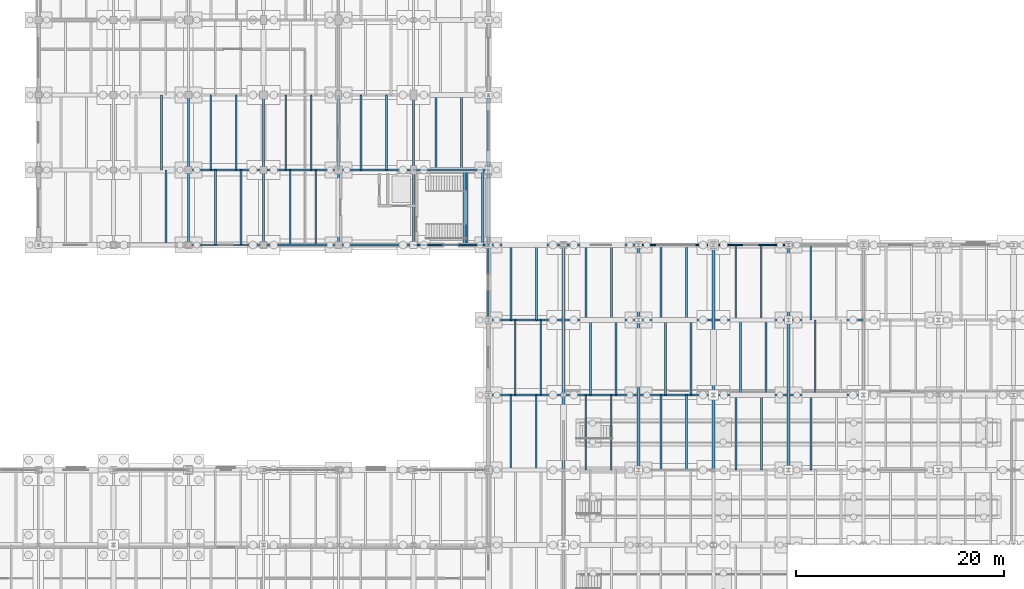
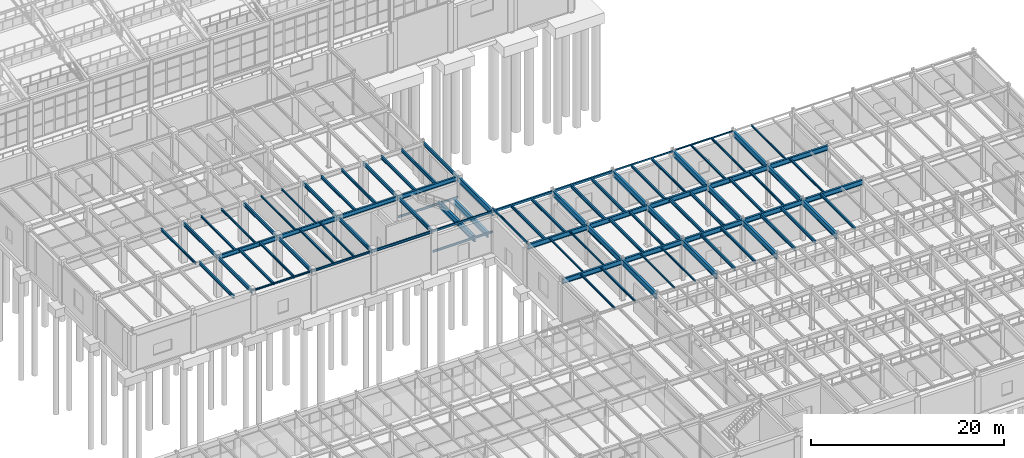
# One storey, part 162 of 293: 91 beams.
"""IFC4 building model written with IfcOpenShell, lengths in metres."""

from ifc_helpers import new_model, si_unit, direction, frame, origin, origin_2d, place, context, subcontext, project, spatial, hollow_rectangle, i_section, extrude, material, material_profile, profile_set, type_object, element, save


model = new_model("IFC4")

# Units and contexts
model_context = context("Model", 3, precision=1e-05, world=origin(), true_north=direction((0.0, 1.0)))
body_context = subcontext(model_context, "Body", "Model", "MODEL_VIEW")
ifc_project = project(units=[si_unit("LENGTHUNIT", "METRE"), si_unit("AREAUNIT", "SQUARE_METRE"), si_unit("VOLUMEUNIT", "CUBIC_METRE"), si_unit("PLANEANGLEUNIT", "RADIAN"), si_unit("MASSUNIT", "GRAM", prefix="KILO")], contexts=[model_context])

# Site, building, storey
site_placement = place(None, origin())
site = spatial("IfcSite", under=ifc_project, at=site_placement, CompositionType="ELEMENT")
building_placement = place(site_placement, origin())
building = spatial("IfcBuilding", under=site, at=building_placement, Name="Kemerveld Promenade Tramway Depot", CompositionType="ELEMENT")
storey_placement = place(building_placement, origin())
storey = spatial("IfcBuildingStorey", under=building, at=storey_placement, Name="L00", CompositionType="ELEMENT", Elevation=0.0)

# Beams
ifc_material = material(Name="Steel S355", Category="steel")
ifc_material_profile_1 = material_profile(ifc_material, i_section(OverallWidth=0.25439453125, OverallDepth=0.6875, WebThickness=0.01318359375, FlangeThickness=0.02099609375, FilletRadius=0.01513671875, at=origin_2d()), Name="686x254x152 UB")
ifc_profile_set_1 = profile_set([ifc_material_profile_1], Name="Steel S355")
beam_type_1 = type_object("IfcBeamType", Name="BM-G03", PredefinedType="BEAM", material=ifc_profile_set_1)
beam_1_placement = place(storey_placement, frame((158.39990234375, 50.39990234375, 4.736328125), z_axis=(0.0, 1.0, 0.0), x_axis=(-1.0, 0.0, 0.0)))
element("IfcBeam", 1, at=beam_1_placement, inside=storey, type_object=beam_type_1, Name="BMY-L00-23-H-J", PredefinedType="BEAM", context=body_context, shape_type="SweptSolid", body=[
    extrude(i_section(OverallWidth=0.25439453125, OverallDepth=0.6875, WebThickness=0.01318359375, FlangeThickness=0.02099609375, FilletRadius=0.01513671875, at=origin_2d()), origin(), (0.0, 0.0, 1.0), 7.2001953125),
])
for number, where, z_axis, x_axis, name in (
    (2, (165.60009765625, 28.800048828125, 4.7763671875), (0.0, 1.0, 0.0), (-1.0, 0.0, 0.0), "BMY-L00-24-E-F"),
    (3, (165.60009765625, 36.0, 4.7763671875), (0.0, 1.0, 0.0), (-1.0, 0.0, 0.0), "BMY-L00-24-F-G"),
    (4, (165.60009765625, 43.199951171875, 4.7763671875), (0.0, 1.0, 0.0), (-1.0, 0.0, 0.0), "BMY-L00-24-G-H"),
    (5, (172.800048828125, 28.800048828125, 4.7763671875), (0.0, 1.0, 0.0), (-1.0, 0.0, 0.0), "BMY-L00-25-E-F"),
    (6, (172.800048828125, 36.0, 4.7763671875), (0.0, 1.0, 0.0), (-1.0, 0.0, 0.0), "BMY-L00-25-F-G"),
    (7, (172.800048828125, 43.199951171875, 4.7763671875), (0.0, 1.0, 0.0), (-1.0, 0.0, 0.0), "BMY-L00-25-G-H"),
    (8, (180.0, 28.800048828125, 4.7763671875), (0.0, 1.0, 0.0), (-1.0, 0.0, 0.0), "BMY-L00-26-E-F"),
    (9, (180.0, 36.0, 4.7763671875), (0.0, 1.0, 0.0), (-1.0, 0.0, 0.0), "BMY-L00-26-F-G"),
    (10, (180.0, 43.199951171875, 4.7763671875), (0.0, 1.0, 0.0), (-1.0, 0.0, 0.0), "BMY-L00-26-G-H"),
    (11, (187.199951171875, 28.800048828125, 4.7763671875), (0.0, 1.0, 0.0), (-1.0, 0.0, 0.0), "BMY-L00-27-E-F"),
    (12, (187.199951171875, 36.0, 4.7763671875), (0.0, 1.0, 0.0), (-1.0, 0.0, 0.0), "BMY-L00-27-F-G"),
    (13, (187.199951171875, 43.199951171875, 4.7763671875), (0.0, 1.0, 0.0), (-1.0, 0.0, 0.0), "BMY-L00-27-G-H"),
):
    element("IfcBeam", number, at=place(storey_placement, frame(where, z_axis=z_axis, x_axis=x_axis)), inside=storey, type_object=beam_type_1, Name=name, PredefinedType="BEAM", context=body_context, shape_type="SweptSolid", body=[
        extrude(i_section(OverallWidth=0.25439453125, OverallDepth=0.6875, WebThickness=0.01318359375, FlangeThickness=0.02099609375, FilletRadius=0.01513671875, at=origin_2d()), origin(), (0.0, 0.0, 1.0), 7.199951171875),
    ])
for number, where, z_axis, x_axis, name in (
    (14, (157.85009765625, 50.39990234375, 2.15625), (0.0, 1.0, 0.0), (-1.0, 0.0, 0.0), "BM-HL-ST-06-L00-W"),
    (15, (156.2900390625, 50.39990234375, 2.15625), (0.0, 1.0, 0.0), (-1.0, 0.0, 0.0), "BM-HL-ST-06-L00-M"),
    (16, (156.10009765625, 50.39990234375, 2.356201171875), (0.0, 1.0, 0.0), (-1.0, 0.0, 0.0), "BM-HL-ST-06-L00-F2"),
):
    element("IfcBeam", number, at=place(storey_placement, frame(where, z_axis=z_axis, x_axis=x_axis)), inside=storey, type_object=beam_type_1, Name=name, PredefinedType="BEAM", context=body_context, shape_type="SweptSolid", body=[
        extrude(i_section(OverallWidth=0.25439453125, OverallDepth=0.6875, WebThickness=0.01318359375, FlangeThickness=0.02099609375, FilletRadius=0.01513671875, at=origin_2d()), origin(), (0.0, 0.0, 1.0), 7.2001953125),
    ])
ifc_material_profile_2 = material_profile(ifc_material, i_section(OverallWidth=0.22900390625, OverallDepth=0.6123046875, WebThickness=0.011962890625, FlangeThickness=0.01953125, FilletRadius=0.0126953125, at=origin_2d()), Name="610x229x125 UB")
ifc_profile_set_2 = profile_set([ifc_material_profile_2], Name="Steel S355")
beam_type_2 = type_object("IfcBeamType", Name="BM-G04", PredefinedType="BEAM", material=ifc_profile_set_2)
beam_2_placement = place(storey_placement, frame((158.39990234375, 36.0, 4.81396484375), z_axis=(1.0, 0.0, 0.0), x_axis=(0.0, 1.0, 0.0)))
element("IfcBeam", 17, at=beam_2_placement, inside=storey, type_object=beam_type_2, Name="BMX-L00-23-24-F", PredefinedType="BEAM", context=body_context, shape_type="SweptSolid", body=[
    extrude(i_section(OverallWidth=0.22900390625, OverallDepth=0.6123046875, WebThickness=0.011962890625, FlangeThickness=0.01953125, FilletRadius=0.0126953125, at=origin_2d()), origin(), (0.0, 0.0, 1.0), 7.2001953125),
])
for number, where, z_axis, x_axis, name in (
    (18, (165.60009765625, 36.0, 4.81396484375), (1.0, 0.0, 0.0), (0.0, 1.0, 0.0), "BMX-L00-24-25-F"),
    (19, (172.800048828125, 36.0, 4.81396484375), (1.0, 0.0, 0.0), (0.0, 1.0, 0.0), "BMX-L00-25-26-F"),
    (20, (180.0, 36.0, 4.81396484375), (1.0, 0.0, 0.0), (0.0, 1.0, 0.0), "BMX-L00-26-27-F"),
    (21, (187.199951171875, 36.0, 4.81396484375), (1.0, 0.0, 0.0), (0.0, 1.0, 0.0), "BMX-L00-27-28-F"),
):
    element("IfcBeam", number, at=place(storey_placement, frame(where, z_axis=z_axis, x_axis=x_axis)), inside=storey, type_object=beam_type_2, Name=name, PredefinedType="BEAM", context=body_context, shape_type="SweptSolid", body=[
        extrude(i_section(OverallWidth=0.22900390625, OverallDepth=0.6123046875, WebThickness=0.011962890625, FlangeThickness=0.01953125, FilletRadius=0.0126953125, at=origin_2d()), origin(), (0.0, 0.0, 1.0), 7.199951171875),
    ])
beam_3_placement = place(storey_placement, frame((158.39990234375, 43.199951171875, 4.81396484375), z_axis=(1.0, 0.0, 0.0), x_axis=(0.0, 1.0, 0.0)))
element("IfcBeam", 22, at=beam_3_placement, inside=storey, type_object=beam_type_2, Name="BMX-L00-23-24-G", PredefinedType="BEAM", context=body_context, shape_type="SweptSolid", body=[
    extrude(i_section(OverallWidth=0.22900390625, OverallDepth=0.6123046875, WebThickness=0.011962890625, FlangeThickness=0.01953125, FilletRadius=0.0126953125, at=origin_2d()), origin(), (0.0, 0.0, 1.0), 7.2001953125),
])
for number, where, z_axis, x_axis, name in (
    (23, (165.60009765625, 43.199951171875, 4.81396484375), (1.0, 0.0, 0.0), (0.0, 1.0, 0.0), "BMX-L00-24-25-G"),
    (24, (172.800048828125, 43.199951171875, 4.81396484375), (1.0, 0.0, 0.0), (0.0, 1.0, 0.0), "BMX-L00-25-26-G"),
    (25, (180.0, 43.199951171875, 4.81396484375), (1.0, 0.0, 0.0), (0.0, 1.0, 0.0), "BMX-L00-26-27-G"),
    (26, (187.199951171875, 43.199951171875, 4.81396484375), (1.0, 0.0, 0.0), (0.0, 1.0, 0.0), "BMX-L00-27-28-G"),
):
    element("IfcBeam", number, at=place(storey_placement, frame(where, z_axis=z_axis, x_axis=x_axis)), inside=storey, type_object=beam_type_2, Name=name, PredefinedType="BEAM", context=body_context, shape_type="SweptSolid", body=[
        extrude(i_section(OverallWidth=0.22900390625, OverallDepth=0.6123046875, WebThickness=0.011962890625, FlangeThickness=0.01953125, FilletRadius=0.0126953125, at=origin_2d()), origin(), (0.0, 0.0, 1.0), 7.199951171875),
    ])
ifc_material_profile_3 = material_profile(ifc_material, i_section(OverallWidth=0.2099609375, OverallDepth=0.53662109375, WebThickness=0.0107421875, FlangeThickness=0.017333984375, FilletRadius=0.0126953125, at=origin_2d()), Name="533x210x101 UB")
ifc_profile_set_3 = profile_set([ifc_material_profile_3], Name="Steel S355")
beam_type_3 = type_object("IfcBeamType", Name="BM-G05", PredefinedType="BEAM", material=ifc_profile_set_3)
for number, where, z_axis, x_axis, name in (
    (27, (129.60009765625, 57.60009765625, 4.811767578125), (1.0, 0.0, 0.0), (0.0, 1.0, 0.0), "BMX-L00-19-20-J"),
    (28, (136.800048828125, 57.60009765625, 4.811767578125), (1.0, 0.0, 0.0), (0.0, 1.0, 0.0), "BMX-L00-20-21-J"),
    (29, (144.0, 57.60009765625, 4.811767578125), (1.0, 0.0, 0.0), (0.0, 1.0, 0.0), "BMX-L00-21-22-J"),
    (30, (151.199951171875, 57.60009765625, 4.811767578125), (1.0, 0.0, 0.0), (0.0, 1.0, 0.0), "BMX-L00-22-23-J"),
):
    element("IfcBeam", number, at=place(storey_placement, frame(where, z_axis=z_axis, x_axis=x_axis)), inside=storey, type_object=beam_type_3, Name=name, PredefinedType="BEAM", context=body_context, shape_type="SweptSolid", body=[
        extrude(i_section(OverallWidth=0.2099609375, OverallDepth=0.53662109375, WebThickness=0.0107421875, FlangeThickness=0.017333984375, FilletRadius=0.0126953125, at=origin_2d()), origin(), (0.0, 0.0, 1.0), 7.199951171875),
    ])
ifc_material_profile_4 = material_profile(ifc_material, i_section(OverallWidth=0.19140625, OverallDepth=0.4599609375, WebThickness=0.010009765625, FlangeThickness=0.01611328125, FilletRadius=0.01025390625, at=origin_2d()), Name="457x191x82 UB")
ifc_profile_set_4 = profile_set([ifc_material_profile_4], Name="Steel S355")
beam_type_4 = type_object("IfcBeamType", Name="BM-G06", PredefinedType="BEAM", material=ifc_profile_set_4)
beam_4_placement = place(storey_placement, frame((129.60009765625, 50.39990234375, 4.85009765625), z_axis=(0.0, 1.0, 0.0), x_axis=(-1.0, 0.0, 0.0)))
element("IfcBeam", 31, at=beam_4_placement, inside=storey, type_object=beam_type_4, Name="BMY-L00-19-H-J", PredefinedType="BEAM", context=body_context, shape_type="SweptSolid", body=[
    extrude(i_section(OverallWidth=0.19140625, OverallDepth=0.4599609375, WebThickness=0.010009765625, FlangeThickness=0.01611328125, FilletRadius=0.01025390625, at=origin_2d()), origin(), (0.0, 0.0, 1.0), 7.2001953125),
])
beam_5_placement = place(storey_placement, frame((129.60009765625, 57.60009765625, 4.85009765625), z_axis=(0.0, 1.0, 0.0), x_axis=(-1.0, 0.0, 0.0)))
element("IfcBeam", 32, at=beam_5_placement, inside=storey, type_object=beam_type_4, Name="BMY-L00-19-J-K", PredefinedType="BEAM", context=body_context, shape_type="SweptSolid", body=[
    extrude(i_section(OverallWidth=0.19140625, OverallDepth=0.4599609375, WebThickness=0.010009765625, FlangeThickness=0.01611328125, FilletRadius=0.01025390625, at=origin_2d()), origin(), (0.0, 0.0, 1.0), 7.199951171875),
])
beam_6_placement = place(storey_placement, frame((136.800048828125, 50.39990234375, 4.85009765625), z_axis=(0.0, 1.0, 0.0), x_axis=(-1.0, 0.0, 0.0)))
element("IfcBeam", 33, at=beam_6_placement, inside=storey, type_object=beam_type_4, Name="BMY-L00-20-H-J", PredefinedType="BEAM", context=body_context, shape_type="SweptSolid", body=[
    extrude(i_section(OverallWidth=0.19140625, OverallDepth=0.4599609375, WebThickness=0.010009765625, FlangeThickness=0.01611328125, FilletRadius=0.01025390625, at=origin_2d()), origin(), (0.0, 0.0, 1.0), 7.2001953125),
])
beam_7_placement = place(storey_placement, frame((136.800048828125, 57.60009765625, 4.85009765625), z_axis=(0.0, 1.0, 0.0), x_axis=(-1.0, 0.0, 0.0)))
element("IfcBeam", 34, at=beam_7_placement, inside=storey, type_object=beam_type_4, Name="BMY-L00-20-J-K", PredefinedType="BEAM", context=body_context, shape_type="SweptSolid", body=[
    extrude(i_section(OverallWidth=0.19140625, OverallDepth=0.4599609375, WebThickness=0.010009765625, FlangeThickness=0.01611328125, FilletRadius=0.01025390625, at=origin_2d()), origin(), (0.0, 0.0, 1.0), 7.199951171875),
])
beam_8_placement = place(storey_placement, frame((144.0, 50.39990234375, 4.85009765625), z_axis=(0.0, 1.0, 0.0), x_axis=(-1.0, 0.0, 0.0)))
element("IfcBeam", 35, at=beam_8_placement, inside=storey, type_object=beam_type_4, Name="BMY-L00-21-H-J", PredefinedType="BEAM", context=body_context, shape_type="SweptSolid", body=[
    extrude(i_section(OverallWidth=0.19140625, OverallDepth=0.4599609375, WebThickness=0.010009765625, FlangeThickness=0.01611328125, FilletRadius=0.01025390625, at=origin_2d()), origin(), (0.0, 0.0, 1.0), 7.2001953125),
])
beam_9_placement = place(storey_placement, frame((144.0, 57.60009765625, 4.85009765625), z_axis=(0.0, 1.0, 0.0), x_axis=(-1.0, 0.0, 0.0)))
element("IfcBeam", 36, at=beam_9_placement, inside=storey, type_object=beam_type_4, Name="BMY-L00-21-J-K", PredefinedType="BEAM", context=body_context, shape_type="SweptSolid", body=[
    extrude(i_section(OverallWidth=0.19140625, OverallDepth=0.4599609375, WebThickness=0.010009765625, FlangeThickness=0.01611328125, FilletRadius=0.01025390625, at=origin_2d()), origin(), (0.0, 0.0, 1.0), 7.199951171875),
])
beam_10_placement = place(storey_placement, frame((151.199951171875, 50.39990234375, 4.85009765625), z_axis=(0.0, 1.0, 0.0), x_axis=(-1.0, 0.0, 0.0)))
element("IfcBeam", 37, at=beam_10_placement, inside=storey, type_object=beam_type_4, Name="BMY-L00-22-H-J", PredefinedType="BEAM", context=body_context, shape_type="SweptSolid", body=[
    extrude(i_section(OverallWidth=0.19140625, OverallDepth=0.4599609375, WebThickness=0.010009765625, FlangeThickness=0.01611328125, FilletRadius=0.01025390625, at=origin_2d()), origin(), (0.0, 0.0, 1.0), 7.2001953125),
])
for number, where, z_axis, x_axis, name in (
    (38, (151.199951171875, 57.60009765625, 4.85009765625), (0.0, 1.0, 0.0), (-1.0, 0.0, 0.0), "BMY-L00-22-J-K"),
    (39, (158.39990234375, 57.60009765625, 4.85009765625), (0.0, 1.0, 0.0), (-1.0, 0.0, 0.0), "BMY-L00-23-J-K"),
):
    element("IfcBeam", number, at=place(storey_placement, frame(where, z_axis=z_axis, x_axis=x_axis)), inside=storey, type_object=beam_type_4, Name=name, PredefinedType="BEAM", context=body_context, shape_type="SweptSolid", body=[
        extrude(i_section(OverallWidth=0.19140625, OverallDepth=0.4599609375, WebThickness=0.010009765625, FlangeThickness=0.01611328125, FilletRadius=0.01025390625, at=origin_2d()), origin(), (0.0, 0.0, 1.0), 7.199951171875),
    ])
ifc_material_profile_5 = material_profile(ifc_material, i_section(OverallWidth=0.13330078125, OverallDepth=0.203125, WebThickness=0.005615234375, FlangeThickness=0.0078125, FilletRadius=0.007568359375, at=origin_2d()), Name="203x133x25 UB")
ifc_profile_set_5 = profile_set([ifc_material_profile_5], Name="Steel S355")
beam_type_5 = type_object("IfcBeamType", Name="BM-G14", PredefinedType="BEAM", material=ifc_profile_set_5)
beam_11_placement = place(storey_placement, frame((129.60009765625, 50.39990234375, 4.978515625), z_axis=(1.0, 0.0, 0.0), x_axis=(0.0, 1.0, 0.0)))
element("IfcBeam", 40, at=beam_11_placement, inside=storey, type_object=beam_type_5, Name="BMX-L00-19-20-H", PredefinedType="BEAM", context=body_context, shape_type="SweptSolid", body=[
    extrude(i_section(OverallWidth=0.13330078125, OverallDepth=0.203125, WebThickness=0.005615234375, FlangeThickness=0.0078125, FilletRadius=0.007568359375, at=origin_2d()), origin(), (0.0, 0.0, 1.0), 7.199951171875),
])
ifc_material_profile_6 = material_profile(ifc_material, i_section(OverallWidth=0.146484375, OverallDepth=0.256103515625, WebThickness=0.00634765625, FlangeThickness=0.010986328125, FilletRadius=0.007568359375, at=origin_2d()), Name="254x146x37 UB")
ifc_profile_set_6 = profile_set([ifc_material_profile_6], Name="Steel S355")
beam_type_6 = type_object("IfcBeamType", Name="BM-G15", PredefinedType="BEAM", material=ifc_profile_set_6)
beam_12_placement = place(storey_placement, frame((136.800048828125, 50.39990234375, 4.951904296875), z_axis=(1.0, 0.0, 0.0), x_axis=(0.0, 1.0, 0.0)))
element("IfcBeam", 41, at=beam_12_placement, inside=storey, type_object=beam_type_6, Name="BMX-L00-20-21-H", PredefinedType="BEAM", context=body_context, shape_type="SweptSolid", body=[
    extrude(i_section(OverallWidth=0.146484375, OverallDepth=0.256103515625, WebThickness=0.00634765625, FlangeThickness=0.010986328125, FilletRadius=0.007568359375, at=origin_2d()), origin(), (0.0, 0.0, 1.0), 7.199951171875),
])
ifc_material_profile_7 = material_profile(ifc_material, i_section(OverallWidth=0.165771484375, OverallDepth=0.306640625, WebThickness=0.006591796875, FlangeThickness=0.01171875, FilletRadius=0.0087890625, at=origin_2d()), Name="305x165x46 UB")
ifc_profile_set_7 = profile_set([ifc_material_profile_7], Name="Steel S355")
beam_type_7 = type_object("IfcBeamType", Name="BM-G16", PredefinedType="BEAM", material=ifc_profile_set_7)
beam_13_placement = place(storey_placement, frame((144.0, 50.39990234375, 4.9267578125), z_axis=(1.0, 0.0, 0.0), x_axis=(0.0, 1.0, 0.0)))
element("IfcBeam", 42, at=beam_13_placement, inside=storey, type_object=beam_type_7, Name="BMX-L00-21-22-H", PredefinedType="BEAM", context=body_context, shape_type="SweptSolid", body=[
    extrude(i_section(OverallWidth=0.165771484375, OverallDepth=0.306640625, WebThickness=0.006591796875, FlangeThickness=0.01171875, FilletRadius=0.0087890625, at=origin_2d()), origin(), (0.0, 0.0, 1.0), 7.199951171875),
])
ifc_material_profile_8 = material_profile(ifc_material, hollow_rectangle(XDim=0.14990234375, YDim=0.25, WallThickness=0.010009765625, InnerFilletRadius=0.0048828125, OuterFilletRadius=0.014892578125, at=origin_2d()), Name="250x150x10.0 RHS")
ifc_profile_set_8 = profile_set([ifc_material_profile_8], Name="Steel S355")
beam_type_8 = type_object("IfcBeamType", Name="BM-G17", PredefinedType="BEAM", material=ifc_profile_set_8)
beam_14_placement = place(storey_placement, frame((151.199951171875, 50.39990234375, 4.955078125), z_axis=(1.0, 0.0, 0.0), x_axis=(0.0, 1.0, 0.0)))
element("IfcBeam", 43, at=beam_14_placement, inside=storey, type_object=beam_type_8, Name="BMX-L00-22-23-H", PredefinedType="BEAM", context=body_context, shape_type="SweptSolid", body=[
    extrude(hollow_rectangle(XDim=0.14990234375, YDim=0.25, WallThickness=0.010009765625, InnerFilletRadius=0.0048828125, OuterFilletRadius=0.014892578125, at=origin_2d()), origin(), (0.0, 0.0, 1.0), 7.199951171875),
])
ifc_material_profile_9 = material_profile(ifc_material, hollow_rectangle(XDim=0.199951171875, YDim=0.300048828125, WallThickness=0.012451171875, InnerFilletRadius=0.00634765625, OuterFilletRadius=0.018798828125, at=origin_2d()), Name="300x200x12.5 RHS")
ifc_profile_set_9 = profile_set([ifc_material_profile_9], Name="Steel S355")
beam_type_9 = type_object("IfcBeamType", Name="BM-G18", PredefinedType="BEAM", material=ifc_profile_set_9)
beam_15_placement = place(storey_placement, frame((158.39990234375, 50.39990234375, 4.929931640625), z_axis=(1.0, 0.0, 0.0), x_axis=(0.0, 1.0, 0.0)))
element("IfcBeam", 44, at=beam_15_placement, inside=storey, type_object=beam_type_9, Name="BMX-L00-23-24-H", PredefinedType="BEAM", context=body_context, shape_type="SweptSolid", body=[
    extrude(hollow_rectangle(XDim=0.199951171875, YDim=0.300048828125, WallThickness=0.012451171875, InnerFilletRadius=0.00634765625, OuterFilletRadius=0.018798828125, at=origin_2d()), origin(), (0.0, 0.0, 1.0), 7.2001953125),
])
ifc_material_profile_10 = material_profile(ifc_material, i_section(OverallWidth=0.165771484375, OverallDepth=0.306640625, WebThickness=0.006591796875, FlangeThickness=0.01171875, FilletRadius=0.0087890625, at=origin_2d()), Name="305x165x46 UB")
ifc_profile_set_10 = profile_set([ifc_material_profile_10], Name="Steel S355")
beam_type_10 = type_object("IfcBeamType", Name="BM-J01", PredefinedType="JOIST", material=ifc_profile_set_10)
beam_16_placement = place(storey_placement, frame((127.008056640625, 57.60009765625, 4.9267578125), z_axis=(0.0, 1.0, 0.0), x_axis=(-1.0, 0.0, 0.0)))
element("IfcBeam", 45, at=beam_16_placement, inside=storey, type_object=beam_type_10, Name="JST-L00-18-J-2", PredefinedType="JOIST", context=body_context, shape_type="SweptSolid", body=[
    extrude(i_section(OverallWidth=0.165771484375, OverallDepth=0.306640625, WebThickness=0.006591796875, FlangeThickness=0.01171875, FilletRadius=0.0087890625, at=origin_2d()), origin(), (0.0, 0.0, 1.0), 7.199951171875),
])
for number, where, z_axis, x_axis, name in (
    (46, (132.19189453125, 50.39990234375, 4.9267578125), (0.0, 1.0, 0.0), (-1.0, 0.0, 0.0), "JST-L00-19-H-1"),
    (47, (134.639892578125, 50.39990234375, 4.9267578125), (0.0, 1.0, 0.0), (-1.0, 0.0, 0.0), "JST-L00-19-H-2"),
):
    element("IfcBeam", number, at=place(storey_placement, frame(where, z_axis=z_axis, x_axis=x_axis)), inside=storey, type_object=beam_type_10, Name=name, PredefinedType="JOIST", context=body_context, shape_type="SweptSolid", body=[
        extrude(i_section(OverallWidth=0.165771484375, OverallDepth=0.306640625, WebThickness=0.006591796875, FlangeThickness=0.01171875, FilletRadius=0.0087890625, at=origin_2d()), origin(), (0.0, 0.0, 1.0), 7.2001953125),
    ])
for number, where, z_axis, x_axis, name in (
    (48, (174.9599609375, 43.199951171875, 4.966796875), (0.0, 1.0, 0.0), (-1.0, 0.0, 0.0), "JST-L00-25-G-1"),
    (49, (177.407958984375, 43.199951171875, 4.966796875), (0.0, 1.0, 0.0), (-1.0, 0.0, 0.0), "JST-L00-25-G-2"),
    (50, (182.592041015625, 36.0, 4.966796875), (0.0, 1.0, 0.0), (-1.0, 0.0, 0.0), "JST-L00-26-F-1"),
    (51, (185.0400390625, 36.0, 4.966796875), (0.0, 1.0, 0.0), (-1.0, 0.0, 0.0), "JST-L00-26-F-2"),
    (52, (189.360107421875, 28.800048828125, 4.966796875), (0.0, 1.0, 0.0), (-1.0, 0.0, 0.0), "JST-L00-27-E-1"),
):
    element("IfcBeam", number, at=place(storey_placement, frame(where, z_axis=z_axis, x_axis=x_axis)), inside=storey, type_object=beam_type_10, Name=name, PredefinedType="JOIST", context=body_context, shape_type="SweptSolid", body=[
        extrude(i_section(OverallWidth=0.165771484375, OverallDepth=0.306640625, WebThickness=0.006591796875, FlangeThickness=0.01171875, FilletRadius=0.0087890625, at=origin_2d()), origin(), (0.0, 0.0, 1.0), 7.199951171875),
    ])
ifc_material_profile_11 = material_profile(ifc_material, i_section(OverallWidth=0.146484375, OverallDepth=0.256103515625, WebThickness=0.00634765625, FlangeThickness=0.010986328125, FilletRadius=0.007568359375, at=origin_2d()), Name="254x146x37 UB")
ifc_profile_set_11 = profile_set([ifc_material_profile_11], Name="Steel S355")
beam_type_11 = type_object("IfcBeamType", Name="BM-J02", PredefinedType="JOIST", material=ifc_profile_set_11)
for number, where, z_axis, x_axis, name in (
    (53, (131.760009765625, 57.60009765625, 4.951904296875), (0.0, 1.0, 0.0), (-1.0, 0.0, 0.0), "JST-L00-19-J-1"),
    (54, (134.2080078125, 57.60009765625, 4.951904296875), (0.0, 1.0, 0.0), (-1.0, 0.0, 0.0), "JST-L00-19-J-2"),
):
    element("IfcBeam", number, at=place(storey_placement, frame(where, z_axis=z_axis, x_axis=x_axis)), inside=storey, type_object=beam_type_11, Name=name, PredefinedType="JOIST", context=body_context, shape_type="SweptSolid", body=[
        extrude(i_section(OverallWidth=0.146484375, OverallDepth=0.256103515625, WebThickness=0.00634765625, FlangeThickness=0.010986328125, FilletRadius=0.007568359375, at=origin_2d()), origin(), (0.0, 0.0, 1.0), 7.199951171875),
    ])
for number, where, z_axis, x_axis, name in (
    (55, (139.39208984375, 50.39990234375, 4.951904296875), (0.0, 1.0, 0.0), (-1.0, 0.0, 0.0), "JST-L00-20-H-1"),
    (56, (141.840087890625, 50.39990234375, 4.951904296875), (0.0, 1.0, 0.0), (-1.0, 0.0, 0.0), "JST-L00-20-H-2"),
):
    element("IfcBeam", number, at=place(storey_placement, frame(where, z_axis=z_axis, x_axis=x_axis)), inside=storey, type_object=beam_type_11, Name=name, PredefinedType="JOIST", context=body_context, shape_type="SweptSolid", body=[
        extrude(i_section(OverallWidth=0.146484375, OverallDepth=0.256103515625, WebThickness=0.00634765625, FlangeThickness=0.010986328125, FilletRadius=0.007568359375, at=origin_2d()), origin(), (0.0, 0.0, 1.0), 7.2001953125),
    ])
for number, where, z_axis, x_axis, name in (
    (57, (160.56005859375, 28.800048828125, 4.991943359375), (0.0, 1.0, 0.0), (-1.0, 0.0, 0.0), "JST-L00-23-E-1"),
    (58, (163.008056640625, 28.800048828125, 4.991943359375), (0.0, 1.0, 0.0), (-1.0, 0.0, 0.0), "JST-L00-23-E-2"),
    (59, (182.159912109375, 43.199951171875, 4.991943359375), (0.0, 1.0, 0.0), (-1.0, 0.0, 0.0), "JST-L00-26-G-1"),
    (60, (184.60791015625, 43.199951171875, 4.991943359375), (0.0, 1.0, 0.0), (-1.0, 0.0, 0.0), "JST-L00-26-G-2"),
    (61, (189.7919921875, 36.0, 4.991943359375), (0.0, 1.0, 0.0), (-1.0, 0.0, 0.0), "JST-L00-27-F-1"),
    (62, (151.199951171875, 50.39990234375, 2.3720703125), (1.0, 0.0, 0.0), (0.0, 1.0, 0.0), "BM-HLY-ST-06-L00-S"),
    (63, (151.199951171875, 57.60009765625, 2.3720703125), (1.0, 0.0, 0.0), (0.0, 1.0, 0.0), "BM-HLY-ST-06-L00-N"),
):
    element("IfcBeam", number, at=place(storey_placement, frame(where, z_axis=z_axis, x_axis=x_axis)), inside=storey, type_object=beam_type_11, Name=name, PredefinedType="JOIST", context=body_context, shape_type="SweptSolid", body=[
        extrude(i_section(OverallWidth=0.146484375, OverallDepth=0.256103515625, WebThickness=0.00634765625, FlangeThickness=0.010986328125, FilletRadius=0.007568359375, at=origin_2d()), origin(), (0.0, 0.0, 1.0), 7.199951171875),
    ])
ifc_material_profile_12 = material_profile(ifc_material, i_section(OverallWidth=0.13330078125, OverallDepth=0.203125, WebThickness=0.005615234375, FlangeThickness=0.0078125, FilletRadius=0.007568359375, at=origin_2d()), Name="203x133x25 UB")
ifc_profile_set_12 = profile_set([ifc_material_profile_12], Name="Steel S355")
beam_type_12 = type_object("IfcBeamType", Name="BM-J03", PredefinedType="JOIST", material=ifc_profile_set_12)
for number, where, z_axis, x_axis, name in (
    (64, (138.9599609375, 57.60009765625, 4.978515625), (0.0, 1.0, 0.0), (-1.0, 0.0, 0.0), "JST-L00-20-J-1"),
    (65, (141.407958984375, 57.60009765625, 4.978515625), (0.0, 1.0, 0.0), (-1.0, 0.0, 0.0), "JST-L00-20-J-2"),
    (66, (160.991943359375, 36.0, 5.018310546875), (0.0, 1.0, 0.0), (-1.0, 0.0, 0.0), "JST-L00-23-F-1"),
    (67, (163.43994140625, 36.0, 5.018310546875), (0.0, 1.0, 0.0), (-1.0, 0.0, 0.0), "JST-L00-23-F-2"),
    (68, (167.760009765625, 28.800048828125, 5.018310546875), (0.0, 1.0, 0.0), (-1.0, 0.0, 0.0), "JST-L00-24-E-1"),
    (69, (170.2080078125, 28.800048828125, 5.018310546875), (0.0, 1.0, 0.0), (-1.0, 0.0, 0.0), "JST-L00-24-E-2"),
    (70, (189.360107421875, 43.199951171875, 5.018310546875), (0.0, 1.0, 0.0), (-1.0, 0.0, 0.0), "JST-L00-27-G-1"),
):
    element("IfcBeam", number, at=place(storey_placement, frame(where, z_axis=z_axis, x_axis=x_axis)), inside=storey, type_object=beam_type_12, Name=name, PredefinedType="JOIST", context=body_context, shape_type="SweptSolid", body=[
        extrude(i_section(OverallWidth=0.13330078125, OverallDepth=0.203125, WebThickness=0.005615234375, FlangeThickness=0.0078125, FilletRadius=0.007568359375, at=origin_2d()), origin(), (0.0, 0.0, 1.0), 7.199951171875),
    ])
ifc_material_profile_13 = material_profile(ifc_material, i_section(OverallWidth=0.172119140625, OverallDepth=0.35791015625, WebThickness=0.008056640625, FlangeThickness=0.012939453125, FilletRadius=0.01025390625, at=origin_2d()), Name="356x171x57 UB")
ifc_profile_set_13 = profile_set([ifc_material_profile_13], Name="Steel S355")
beam_type_13 = type_object("IfcBeamType", Name="BM-J04", PredefinedType="JOIST", material=ifc_profile_set_13)
for number, where, z_axis, x_axis, name in (
    (71, (146.159912109375, 57.60009765625, 4.90087890625), (0.0, 1.0, 0.0), (-1.0, 0.0, 0.0), "JST-L00-21-J-1"),
    (72, (148.60791015625, 57.60009765625, 4.90087890625), (0.0, 1.0, 0.0), (-1.0, 0.0, 0.0), "JST-L00-21-J-2"),
    (73, (160.56005859375, 43.199951171875, 4.94091796875), (0.0, 1.0, 0.0), (-1.0, 0.0, 0.0), "JST-L00-23-G-1"),
    (74, (163.008056640625, 43.199951171875, 4.94091796875), (0.0, 1.0, 0.0), (-1.0, 0.0, 0.0), "JST-L00-23-G-2"),
    (75, (168.19189453125, 36.0, 4.94091796875), (0.0, 1.0, 0.0), (-1.0, 0.0, 0.0), "JST-L00-24-F-1"),
    (76, (170.639892578125, 36.0, 4.94091796875), (0.0, 1.0, 0.0), (-1.0, 0.0, 0.0), "JST-L00-24-F-2"),
    (77, (174.9599609375, 28.800048828125, 4.94091796875), (0.0, 1.0, 0.0), (-1.0, 0.0, 0.0), "JST-L00-25-E-1"),
    (78, (177.407958984375, 28.800048828125, 4.94091796875), (0.0, 1.0, 0.0), (-1.0, 0.0, 0.0), "JST-L00-25-E-2"),
):
    element("IfcBeam", number, at=place(storey_placement, frame(where, z_axis=z_axis, x_axis=x_axis)), inside=storey, type_object=beam_type_13, Name=name, PredefinedType="JOIST", context=body_context, shape_type="SweptSolid", body=[
        extrude(i_section(OverallWidth=0.172119140625, OverallDepth=0.35791015625, WebThickness=0.008056640625, FlangeThickness=0.012939453125, FilletRadius=0.01025390625, at=origin_2d()), origin(), (0.0, 0.0, 1.0), 7.199951171875),
    ])
ifc_material_profile_14 = material_profile(ifc_material, i_section(OverallWidth=0.1787109375, OverallDepth=0.409423828125, WebThickness=0.0087890625, FlangeThickness=0.014404296875, FilletRadius=0.01025390625, at=origin_2d()), Name="406x178x67 UB")
ifc_profile_set_14 = profile_set([ifc_material_profile_14], Name="Steel S355")
beam_type_14 = type_object("IfcBeamType", Name="BM-J05", PredefinedType="JOIST", material=ifc_profile_set_14)
beam_17_placement = place(storey_placement, frame((127.43994140625, 50.39990234375, 4.875244140625), z_axis=(0.0, 1.0, 0.0), x_axis=(-1.0, 0.0, 0.0)))
element("IfcBeam", 79, at=beam_17_placement, inside=storey, type_object=beam_type_14, Name="JST-L00-18-H-2", PredefinedType="JOIST", context=body_context, shape_type="SweptSolid", body=[
    extrude(i_section(OverallWidth=0.1787109375, OverallDepth=0.409423828125, WebThickness=0.0087890625, FlangeThickness=0.014404296875, FilletRadius=0.01025390625, at=origin_2d()), origin(), (0.0, 0.0, 1.0), 7.2001953125),
])
for number, where, z_axis, x_axis, name in (
    (80, (153.360107421875, 57.60009765625, 4.875244140625), (0.0, 1.0, 0.0), (-1.0, 0.0, 0.0), "JST-L00-22-J-1"),
    (81, (155.80810546875, 57.60009765625, 4.875244140625), (0.0, 1.0, 0.0), (-1.0, 0.0, 0.0), "JST-L00-22-J-2"),
    (82, (167.760009765625, 43.199951171875, 4.915283203125), (0.0, 1.0, 0.0), (-1.0, 0.0, 0.0), "JST-L00-24-G-1"),
    (83, (170.2080078125, 43.199951171875, 4.915283203125), (0.0, 1.0, 0.0), (-1.0, 0.0, 0.0), "JST-L00-24-G-2"),
    (84, (175.39208984375, 36.0, 4.915283203125), (0.0, 1.0, 0.0), (-1.0, 0.0, 0.0), "JST-L00-25-F-1"),
    (85, (177.840087890625, 36.0, 4.915283203125), (0.0, 1.0, 0.0), (-1.0, 0.0, 0.0), "JST-L00-25-F-2"),
    (86, (182.159912109375, 28.800048828125, 4.915283203125), (0.0, 1.0, 0.0), (-1.0, 0.0, 0.0), "JST-L00-26-E-1"),
    (87, (184.60791015625, 28.800048828125, 4.915283203125), (0.0, 1.0, 0.0), (-1.0, 0.0, 0.0), "JST-L00-26-E-2"),
):
    element("IfcBeam", number, at=place(storey_placement, frame(where, z_axis=z_axis, x_axis=x_axis)), inside=storey, type_object=beam_type_14, Name=name, PredefinedType="JOIST", context=body_context, shape_type="SweptSolid", body=[
        extrude(i_section(OverallWidth=0.1787109375, OverallDepth=0.409423828125, WebThickness=0.0087890625, FlangeThickness=0.014404296875, FilletRadius=0.01025390625, at=origin_2d()), origin(), (0.0, 0.0, 1.0), 7.199951171875),
    ])
ifc_material_profile_15 = material_profile(ifc_material, hollow_rectangle(XDim=0.199951171875, YDim=0.300048828125, WallThickness=0.012451171875, InnerFilletRadius=0.00634765625, OuterFilletRadius=0.018798828125, at=origin_2d()), Name="300x200x12.5 RHS")
ifc_profile_set_15 = profile_set([ifc_material_profile_15], Name="Steel S355")
beam_type_15 = type_object("IfcBeamType", Name="BM-SP1", PredefinedType="SPANDREL", material=ifc_profile_set_15)
beam_18_placement = place(storey_placement, frame((165.60009765625, 50.39990234375, 4.969970703125), z_axis=(1.0, 0.0, 0.0), x_axis=(0.0, 1.0, 0.0)))
element("IfcBeam", 88, at=beam_18_placement, inside=storey, type_object=beam_type_15, Name="BMX-L00-24-25-H", PredefinedType="SPANDREL", context=body_context, shape_type="SweptSolid", body=[
    extrude(hollow_rectangle(XDim=0.199951171875, YDim=0.300048828125, WallThickness=0.012451171875, InnerFilletRadius=0.00634765625, OuterFilletRadius=0.018798828125, at=origin_2d()), origin(), (0.0, 0.0, 1.0), 7.199951171875),
])
ifc_material_profile_16 = material_profile(ifc_material, hollow_rectangle(XDim=0.14990234375, YDim=0.25, WallThickness=0.010009765625, InnerFilletRadius=0.0048828125, OuterFilletRadius=0.014892578125, at=origin_2d()), Name="250x150x10.0 RHS")
ifc_profile_set_16 = profile_set([ifc_material_profile_16], Name="Steel S355")
beam_type_16 = type_object("IfcBeamType", Name="BM-SP2", PredefinedType="SPANDREL", material=ifc_profile_set_16)
beam_19_placement = place(storey_placement, frame((158.39990234375, 43.199951171875, 5.27490234375), z_axis=(0.0, 1.0, 0.0), x_axis=(-1.0, 0.0, 0.0)))
element("IfcBeam", 89, at=beam_19_placement, inside=storey, type_object=beam_type_16, Name="BMY-L00-23-G-H", PredefinedType="SPANDREL", context=body_context, shape_type="SweptSolid", body=[
    extrude(hollow_rectangle(XDim=0.14990234375, YDim=0.25, WallThickness=0.010009765625, InnerFilletRadius=0.0048828125, OuterFilletRadius=0.014892578125, at=origin_2d()), origin(), (0.0, 0.0, 1.0), 7.199951171875),
])
ifc_material_profile_17 = material_profile(ifc_material, hollow_rectangle(XDim=0.10009765625, YDim=0.199951171875, WallThickness=0.008056640625, InnerFilletRadius=0.00390625, OuterFilletRadius=0.011962890625, at=origin_2d()), Name="200x100x8.0 RHS")
ifc_profile_set_17 = profile_set([ifc_material_profile_17], Name="Steel S355")
beam_type_17 = type_object("IfcBeamType", Name="BM-SP3", PredefinedType="SPANDREL", material=ifc_profile_set_17)
beam_20_placement = place(storey_placement, frame((172.800048828125, 50.39990234375, 5.02001953125), z_axis=(1.0, 0.0, 0.0), x_axis=(0.0, 1.0, 0.0)))
element("IfcBeam", 90, at=beam_20_placement, inside=storey, type_object=beam_type_17, Name="BMX-L00-25-26-H", PredefinedType="SPANDREL", context=body_context, shape_type="SweptSolid", body=[
    extrude(hollow_rectangle(XDim=0.10009765625, YDim=0.199951171875, WallThickness=0.008056640625, InnerFilletRadius=0.00390625, OuterFilletRadius=0.011962890625, at=origin_2d()), origin(), (0.0, 0.0, 1.0), 7.199951171875),
])
ifc_material_profile_18 = material_profile(ifc_material, hollow_rectangle(XDim=0.14990234375, YDim=0.14990234375, WallThickness=0.008056640625, InnerFilletRadius=0.00390625, OuterFilletRadius=0.011962890625, at=origin_2d()), Name="150x150x8.0 SHS")
ifc_profile_set_18 = profile_set([ifc_material_profile_18], Name="Steel S355")
beam_type_18 = type_object("IfcBeamType", Name="BM-SP4", PredefinedType="SPANDREL", material=ifc_profile_set_18)
beam_21_placement = place(storey_placement, frame((180.0, 50.39990234375, 5.044921875), z_axis=(1.0, 0.0, 0.0), x_axis=(0.0, 1.0, 0.0)))
element("IfcBeam", 91, at=beam_21_placement, inside=storey, type_object=beam_type_18, Name="BMX-L00-26-27-H", PredefinedType="SPANDREL", context=body_context, shape_type="SweptSolid", body=[
    extrude(hollow_rectangle(XDim=0.14990234375, YDim=0.14990234375, WallThickness=0.008056640625, InnerFilletRadius=0.00390625, OuterFilletRadius=0.011962890625, at=origin_2d()), origin(), (0.0, 0.0, 1.0), 7.199951171875),
])

save(model, "model.ifc")
